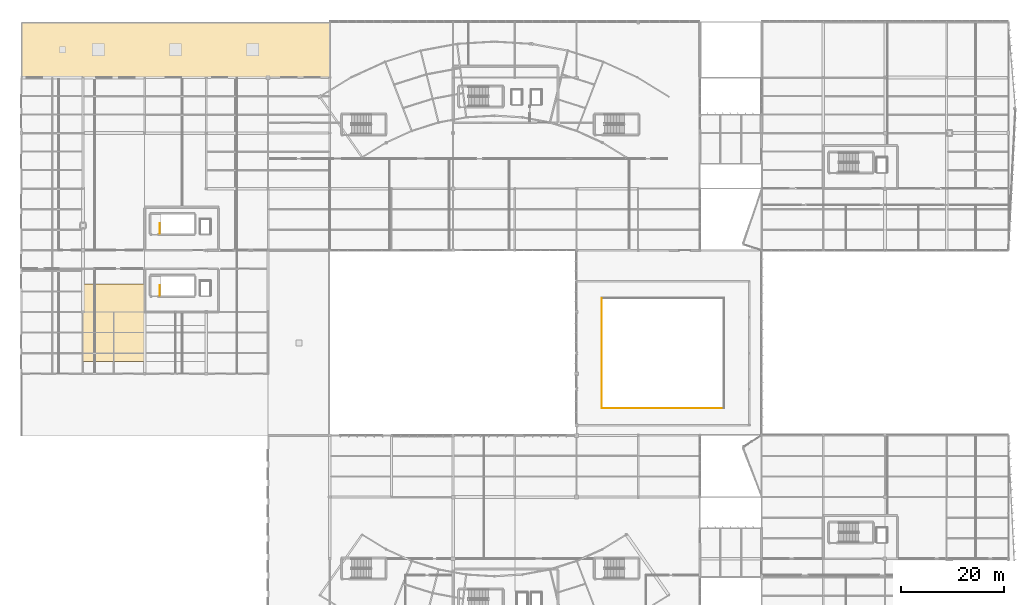
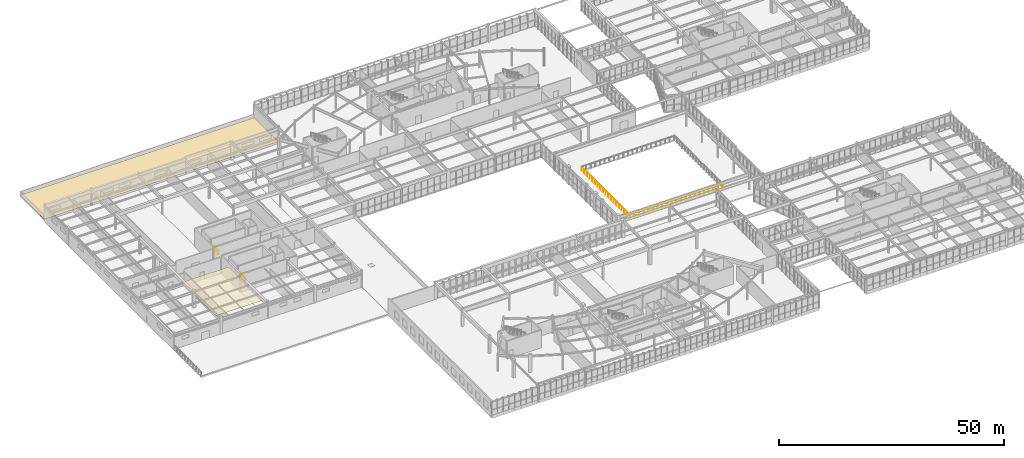
# One storey, part 170 of 186: 4 railings, 2 coverings.
"""IFC4 building model written with IfcOpenShell, lengths in metres."""

from ifc_helpers import new_model, si_unit, direction, frame, origin, origin_2d, place, context, subcontext, project, spatial, polyline, circle, outline, extrude, material, layer, layer_set, type_object, element, save


model = new_model("IFC4")

# Units and contexts
model_context = context("Model", 3, precision=1e-05, world=origin(), true_north=direction((0.0, 1.0)))
body_context = subcontext(model_context, "Body", "Model", "MODEL_VIEW")
ifc_project = project(units=[si_unit("LENGTHUNIT", "METRE"), si_unit("AREAUNIT", "SQUARE_METRE"), si_unit("VOLUMEUNIT", "CUBIC_METRE"), si_unit("PLANEANGLEUNIT", "RADIAN"), si_unit("MASSUNIT", "GRAM", prefix="KILO")], contexts=[model_context])

# Site, building, storey
site_placement = place(None, origin())
site = spatial("IfcSite", under=ifc_project, at=site_placement, CompositionType="ELEMENT")
building_placement = place(site_placement, origin())
building = spatial("IfcBuilding", under=site, at=building_placement, Name="Tarnwether General Hospital", CompositionType="ELEMENT")
storey_placement = place(building_placement, frame((0.0, 0.0, 9.60009765625)))
storey = spatial("IfcBuildingStorey", under=building, at=storey_placement, Name="L02", CompositionType="ELEMENT", Elevation=9.60009765625)

# Coverings
ifc_material_1 = material(Name="Acoustic mineral fibre tile")
ifc_layer_1 = layer(ifc_material_1, 0.02490234375)
ifc_layer_set_1 = layer_set([ifc_layer_1], Name="Acoustic mineral fibre tile")
covering_type_1 = type_object("IfcCoveringType", Name="CV-CLG-ACT", PredefinedType="CEILING", material=ifc_layer_set_1)
covering_1_placement = place(storey_placement, frame((0.0, 0.0, 3.46484375)))
element("IfcCovering", 1, at=covering_1_placement, inside=storey, type_object=covering_type_1, Name="Acoustic Clinical Ceiling 04", PredefinedType="CEILING", context=body_context, shape_type="SweptSolid", body=[
    extrude(outline(polyline([(12.0, 60.0), (24.0, 60.0), (24.0, 75.0), (12.0, 75.0), (12.0, 60.0)])), origin(), (0.0, 0.0, 1.0), 0.025146484375),
])
ifc_material_2 = material(Name="Elastomeric roof membrane")
ifc_layer_2 = layer(ifc_material_2, 0.06005859375)
ifc_layer_set_2 = layer_set([ifc_layer_2], Name="Elastomeric roof membrane")
covering_type_2 = type_object("IfcCoveringType", Name="CV-RFG-MEM", PredefinedType="ROOFING", material=ifc_layer_set_2)
covering_2_placement = place(storey_placement, frame((0.0, 0.0, 0.329833984375)))
element("IfcCovering", 2, at=covering_2_placement, inside=storey, type_object=covering_type_2, Name="Roof Covering CV-RFG-V4NW", PredefinedType="ROOFING", context=body_context, shape_type="SweptSolid", body=[
    extrude(outline(polyline([(60.0, 115.199951171875), (60.0, 126.0), (0.0, 126.0), (0.0, 115.199951171875), (60.0, 115.199951171875)])), origin(), (0.0, 0.0, 1.0), 0.06005859375),
])

# Railings
ifc_material_3 = material(Name="Double glazed low-E glass", Category="glass")
railing_type_1 = type_object("IfcRailingType", Name="RL-BAL-ATR", PredefinedType="BALUSTRADE", material=ifc_material_3)
railing_1_placement = place(storey_placement, frame((112.89990234375, 50.89990234375, 0.0)))
element("IfcRailing", 3, at=railing_1_placement, inside=storey, type_object=railing_type_1, Name="Main Hall Atrium Balustrade L02 1", PredefinedType="BALUSTRADE", context=body_context, shape_type="SweptSolid", body=[
    extrude(circle(Radius=0.02392578125, at=origin_2d()), frame((0.0, 0.0, 1.1259765625), z_axis=(1.0, 0.0, 0.0), x_axis=(0.0, 1.0, 0.0)), (0.0, 0.0, 1.0), 23.800048828125),
    extrude(circle(Radius=0.02099609375, at=origin_2d()), origin(), (0.0, 0.0, 1.0), 1.101806640625),
    extrude(circle(Radius=0.02099609375, at=origin_2d()), frame((1.18994140625, 0.0, 0.0)), (0.0, 0.0, 1.0), 1.101806640625),
    extrude(circle(Radius=0.02099609375, at=origin_2d()), frame((2.3798828125, 0.0, 0.0)), (0.0, 0.0, 1.0), 1.101806640625),
    extrude(circle(Radius=0.02099609375, at=origin_2d()), frame((3.570068359375, 0.0, 0.0)), (0.0, 0.0, 1.0), 1.101806640625),
    extrude(circle(Radius=0.02099609375, at=origin_2d()), frame((4.760009765625, 0.0, 0.0)), (0.0, 0.0, 1.0), 1.101806640625),
    extrude(circle(Radius=0.02099609375, at=origin_2d()), frame((5.949951171875, 0.0, 0.0)), (0.0, 0.0, 1.0), 1.101806640625),
    extrude(circle(Radius=0.02099609375, at=origin_2d()), frame((7.14013671875, 0.0, 0.0)), (0.0, 0.0, 1.0), 1.101806640625),
    extrude(circle(Radius=0.02099609375, at=origin_2d()), frame((8.330078125, 0.0, 0.0)), (0.0, 0.0, 1.0), 1.101806640625),
    extrude(circle(Radius=0.02099609375, at=origin_2d()), frame((9.52001953125, 0.0, 0.0)), (0.0, 0.0, 1.0), 1.101806640625),
    extrude(circle(Radius=0.02099609375, at=origin_2d()), frame((10.7099609375, 0.0, 0.0)), (0.0, 0.0, 1.0), 1.101806640625),
    extrude(circle(Radius=0.02099609375, at=origin_2d()), frame((11.89990234375, 0.0, 0.0)), (0.0, 0.0, 1.0), 1.101806640625),
    extrude(circle(Radius=0.02099609375, at=origin_2d()), frame((13.090087890625, 0.0, 0.0)), (0.0, 0.0, 1.0), 1.101806640625),
    extrude(circle(Radius=0.02099609375, at=origin_2d()), frame((14.280029296875, 0.0, 0.0)), (0.0, 0.0, 1.0), 1.101806640625),
    extrude(circle(Radius=0.02099609375, at=origin_2d()), frame((15.469970703125, 0.0, 0.0)), (0.0, 0.0, 1.0), 1.101806640625),
    extrude(circle(Radius=0.02099609375, at=origin_2d()), frame((16.66015625, 0.0, 0.0)), (0.0, 0.0, 1.0), 1.101806640625),
    extrude(circle(Radius=0.02099609375, at=origin_2d()), frame((17.85009765625, 0.0, 0.0)), (0.0, 0.0, 1.0), 1.101806640625),
    extrude(circle(Radius=0.02099609375, at=origin_2d()), frame((19.0400390625, 0.0, 0.0)), (0.0, 0.0, 1.0), 1.101806640625),
    extrude(circle(Radius=0.02099609375, at=origin_2d()), frame((20.22998046875, 0.0, 0.0)), (0.0, 0.0, 1.0), 1.101806640625),
    extrude(circle(Radius=0.02099609375, at=origin_2d()), frame((21.419921875, 0.0, 0.0)), (0.0, 0.0, 1.0), 1.101806640625),
    extrude(circle(Radius=0.02099609375, at=origin_2d()), frame((22.610107421875, 0.0, 0.0)), (0.0, 0.0, 1.0), 1.101806640625),
    extrude(circle(Radius=0.02099609375, at=origin_2d()), frame((23.800048828125, 0.0, 0.0)), (0.0, 0.0, 1.0), 1.101806640625),
])
railing_2_placement = place(storey_placement, frame((112.89990234375, 72.300048828125, 0.0)))
element("IfcRailing", 4, at=railing_2_placement, inside=storey, type_object=railing_type_1, Name="Main Hall Atrium Balustrade L02 4", PredefinedType="BALUSTRADE", context=body_context, shape_type="SweptSolid", body=[
    extrude(circle(Radius=0.02392578125, at=origin_2d()), frame((0.0, 0.0, 1.1259765625), z_axis=(0.0, -1.0, 0.0), x_axis=(1.0, 0.0, 0.0)), (0.0, 0.0, 1.0), 21.400146484375),
    extrude(circle(Radius=0.02099609375, at=origin_2d()), origin(), (0.0, 0.0, 1.0), 1.101806640625),
    extrude(circle(Radius=0.02099609375, at=origin_2d()), frame((0.0, -1.18896484375, 0.0)), (0.0, 0.0, 1.0), 1.101806640625),
    extrude(circle(Radius=0.02099609375, at=origin_2d()), frame((0.0, -2.377685546875, 0.0)), (0.0, 0.0, 1.0), 1.101806640625),
    extrude(circle(Radius=0.02099609375, at=origin_2d()), frame((0.0, -3.566650390625, 0.0)), (0.0, 0.0, 1.0), 1.101806640625),
    extrude(circle(Radius=0.02099609375, at=origin_2d()), frame((0.0, -4.755615234375, 0.0)), (0.0, 0.0, 1.0), 1.101806640625),
    extrude(circle(Radius=0.02099609375, at=origin_2d()), frame((0.0, -5.944580078125, 0.0)), (0.0, 0.0, 1.0), 1.101806640625),
    extrude(circle(Radius=0.02099609375, at=origin_2d()), frame((0.0, -7.13330078125, 0.0)), (0.0, 0.0, 1.0), 1.101806640625),
    extrude(circle(Radius=0.02099609375, at=origin_2d()), frame((0.0, -8.322265625, 0.0)), (0.0, 0.0, 1.0), 1.101806640625),
    extrude(circle(Radius=0.02099609375, at=origin_2d()), frame((0.0, -9.51123046875, 0.0)), (0.0, 0.0, 1.0), 1.101806640625),
    extrude(circle(Radius=0.02099609375, at=origin_2d()), frame((0.0, -10.7001953125, 0.0)), (0.0, 0.0, 1.0), 1.101806640625),
    extrude(circle(Radius=0.02099609375, at=origin_2d()), frame((0.0, -11.888916015625, 0.0)), (0.0, 0.0, 1.0), 1.101806640625),
    extrude(circle(Radius=0.02099609375, at=origin_2d()), frame((0.0, -13.077880859375, 0.0)), (0.0, 0.0, 1.0), 1.101806640625),
    extrude(circle(Radius=0.02099609375, at=origin_2d()), frame((0.0, -14.266845703125, 0.0)), (0.0, 0.0, 1.0), 1.101806640625),
    extrude(circle(Radius=0.02099609375, at=origin_2d()), frame((0.0, -15.45556640625, 0.0)), (0.0, 0.0, 1.0), 1.101806640625),
    extrude(circle(Radius=0.02099609375, at=origin_2d()), frame((0.0, -16.64453125, 0.0)), (0.0, 0.0, 1.0), 1.101806640625),
    extrude(circle(Radius=0.02099609375, at=origin_2d()), frame((0.0, -17.83349609375, 0.0)), (0.0, 0.0, 1.0), 1.101806640625),
    extrude(circle(Radius=0.02099609375, at=origin_2d()), frame((0.0, -19.0224609375, 0.0)), (0.0, 0.0, 1.0), 1.101806640625),
    extrude(circle(Radius=0.02099609375, at=origin_2d()), frame((0.0, -20.211181640625, 0.0)), (0.0, 0.0, 1.0), 1.101806640625),
    extrude(circle(Radius=0.02099609375, at=origin_2d()), frame((0.0, -21.400146484375, 0.0)), (0.0, 0.0, 1.0), 1.101806640625),
])
ifc_material_4 = material(Name="Anodised aluminium", Category="aluminium")
railing_type_2 = type_object("IfcRailingType", Name="RL-GRD-INT", PredefinedType="GUARDRAIL", material=ifc_material_4)
for number, where, name in (
    (5, (26.949951171875, 72.800048828125, 0.0), "L02 ST-03 top well guard 1"),
    (6, (26.949951171875, 84.800048828125, 0.0), "L02 ST-04 top well guard 1"),
):
    element("IfcRailing", number, at=place(storey_placement, frame(where)), inside=storey, type_object=railing_type_2, Name=name, PredefinedType="GUARDRAIL", context=body_context, shape_type="SweptSolid", body=[
        extrude(circle(Radius=0.02392578125, at=origin_2d()), frame((0.0, 0.0, 1.076171875), z_axis=(0.0, 1.0, 0.0), x_axis=(-1.0, 0.0, 0.0)), (0.0, 0.0, 1.0), 2.0),
        extrude(circle(Radius=0.02099609375, at=origin_2d()), origin(), (0.0, 0.0, 1.0), 1.052001953125),
        extrude(circle(Radius=0.02099609375, at=origin_2d()), frame((0.0, 1.0, 0.0)), (0.0, 0.0, 1.0), 1.052001953125),
        extrude(circle(Radius=0.02099609375, at=origin_2d()), frame((0.0, 2.0, 0.0)), (0.0, 0.0, 1.0), 1.052001953125),
    ])

save(model, "model.ifc")
